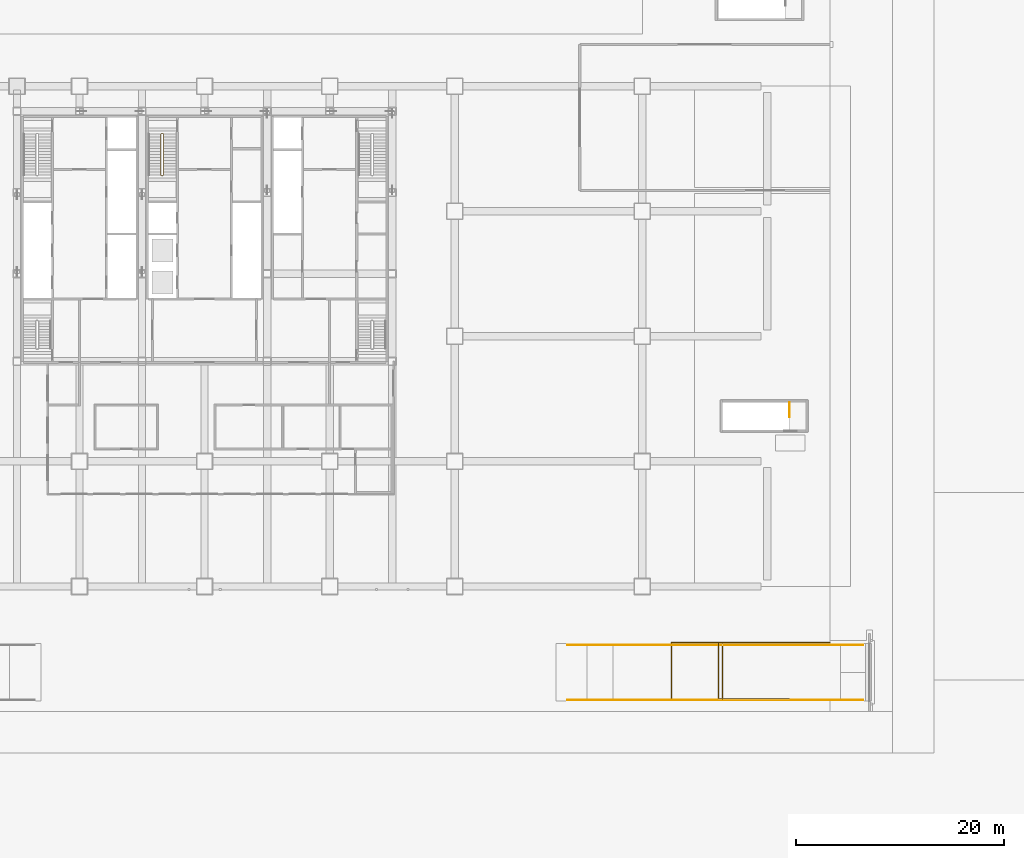
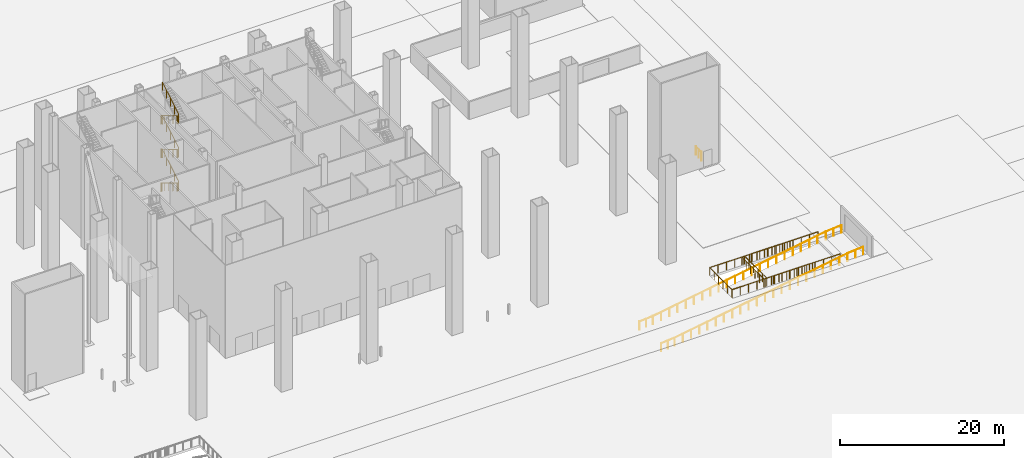
# One storey, part 18 of 22: 7 railings.
"""IFC4 building model written with IfcOpenShell, lengths in metres."""

from ifc_helpers import new_model, si_unit, direction, frame, origin, origin_2d, place, context, subcontext, project, spatial, circle, extrude, material, type_object, element, save


model = new_model("IFC4")

# Units and contexts
model_context = context("Model", 3, precision=1e-05, world=origin(), true_north=direction((0.0, 1.0)))
body_context = subcontext(model_context, "Body", "Model", "MODEL_VIEW")
ifc_project = project(units=[si_unit("LENGTHUNIT", "METRE"), si_unit("AREAUNIT", "SQUARE_METRE"), si_unit("VOLUMEUNIT", "CUBIC_METRE"), si_unit("PLANEANGLEUNIT", "RADIAN"), si_unit("MASSUNIT", "GRAM", prefix="KILO")], contexts=[model_context])

# Site, building, storey
site_placement = place(None, origin())
site = spatial("IfcSite", under=ifc_project, at=site_placement, CompositionType="ELEMENT")
building_placement = place(site_placement, origin())
building = spatial("IfcBuilding", under=site, at=building_placement, Name="Sorahane Residences", CompositionType="ELEMENT")
storey_placement = place(building_placement, origin())
storey = spatial("IfcBuildingStorey", under=building, at=storey_placement, Name="L00", CompositionType="ELEMENT", Elevation=0.0)

# Railings
ifc_material_1 = material(Name="Steel Q355B", Category="steel")
railing_type_1 = type_object("IfcRailingType", Name="Ramp opening guard 1200 Steel Q355B", PredefinedType="GUARDRAIL", material=ifc_material_1)
railing_1_placement = place(storey_placement, frame((87.199951171875, -10.89990234375, -0.0166015625)))
element("IfcRailing", 1, at=railing_1_placement, inside=storey, type_object=railing_type_1, Name="L00 ramp flight guard south", PredefinedType="GUARDRAIL", context=body_context, shape_type="SweptSolid", body=[
    extrude(circle(Radius=0.02392578125, at=origin_2d()), frame((0.0, 0.0, 1.17578125), z_axis=(-0.996544995499, 0.0, -0.083054632296), x_axis=(0.0, -1.0, 0.0)), (0.0, 0.0, 1.0), 2.20751953125),
    extrude(circle(Radius=0.02392578125, at=origin_2d()), frame((-2.199951171875, 0.0, 0.99267578125), z_axis=(-0.986393655987, 0.0, -0.164400594367), x_axis=(0.0, -1.0, 0.0)), (0.0, 0.0, 1.0), 24.63525390625),
    extrude(circle(Radius=0.02392578125, at=origin_2d()), frame((-26.5, 0.0, -3.0576171875), z_axis=(-0.996551055188, 0.0, -0.082981892028), x_axis=(0.0, -1.0, 0.0)), (0.0, 0.0, 1.0), 1.906494140625),
    extrude(circle(Radius=0.02099609375, at=origin_2d()), origin(), (0.0, 0.0, 1.0), 1.15185546875),
    extrude(circle(Radius=0.02099609375, at=origin_2d()), frame((-1.10009765625, 0.0, -0.091796875)), (0.0, 0.0, 1.0), 1.15185546875),
    extrude(circle(Radius=0.02099609375, at=origin_2d()), frame((-2.199951171875, 0.0, -0.183349609375)), (0.0, 0.0, 1.0), 1.15185546875),
    extrude(circle(Radius=0.02099609375, at=origin_2d()), frame((-3.357177734375, 0.0, -0.376220703125)), (0.0, 0.0, 1.0), 1.15185546875),
    extrude(circle(Radius=0.02099609375, at=origin_2d()), frame((-4.51416015625, 0.0, -0.569091796875)), (0.0, 0.0, 1.0), 1.15185546875),
    extrude(circle(Radius=0.02099609375, at=origin_2d()), frame((-5.67138671875, 0.0, -0.761962890625)), (0.0, 0.0, 1.0), 1.15185546875),
    extrude(circle(Radius=0.02099609375, at=origin_2d()), frame((-6.82861328125, 0.0, -0.954833984375)), (0.0, 0.0, 1.0), 1.15185546875),
    extrude(circle(Radius=0.02099609375, at=origin_2d()), frame((-7.985595703125, 0.0, -1.147705078125)), (0.0, 0.0, 1.0), 1.15185546875),
    extrude(circle(Radius=0.02099609375, at=origin_2d()), frame((-9.142822265625, 0.0, -1.340576171875)), (0.0, 0.0, 1.0), 1.15185546875),
    extrude(circle(Radius=0.02099609375, at=origin_2d()), frame((-10.300048828125, 0.0, -1.533447265625)), (0.0, 0.0, 1.0), 1.15185546875),
    extrude(circle(Radius=0.02099609375, at=origin_2d()), frame((-11.45703125, 0.0, -1.726318359375)), (0.0, 0.0, 1.0), 1.15185546875),
    extrude(circle(Radius=0.02099609375, at=origin_2d()), frame((-12.6142578125, 0.0, -1.919189453125)), (0.0, 0.0, 1.0), 1.15185546875),
    extrude(circle(Radius=0.02099609375, at=origin_2d()), frame((-13.771484375, 0.0, -2.112060546875)), (0.0, 0.0, 1.0), 1.15185546875),
    extrude(circle(Radius=0.02099609375, at=origin_2d()), frame((-14.928466796875, 0.0, -2.3046875)), (0.0, 0.0, 1.0), 1.15185546875),
    extrude(circle(Radius=0.02099609375, at=origin_2d()), frame((-16.085693359375, 0.0, -2.49755859375)), (0.0, 0.0, 1.0), 1.15185546875),
    extrude(circle(Radius=0.02099609375, at=origin_2d()), frame((-17.242919921875, 0.0, -2.6904296875)), (0.0, 0.0, 1.0), 1.15185546875),
    extrude(circle(Radius=0.02099609375, at=origin_2d()), frame((-18.39990234375, 0.0, -2.88330078125)), (0.0, 0.0, 1.0), 1.15185546875),
    extrude(circle(Radius=0.02099609375, at=origin_2d()), frame((-19.55712890625, 0.0, -3.076171875)), (0.0, 0.0, 1.0), 1.15185546875),
    extrude(circle(Radius=0.02099609375, at=origin_2d()), frame((-20.71435546875, 0.0, -3.26904296875)), (0.0, 0.0, 1.0), 1.15185546875),
    extrude(circle(Radius=0.02099609375, at=origin_2d()), frame((-21.871337890625, 0.0, -3.4619140625)), (0.0, 0.0, 1.0), 1.15185546875),
    extrude(circle(Radius=0.02099609375, at=origin_2d()), frame((-23.028564453125, 0.0, -3.65478515625)), (0.0, 0.0, 1.0), 1.15185546875),
    extrude(circle(Radius=0.02099609375, at=origin_2d()), frame((-24.185791015625, 0.0, -3.84765625)), (0.0, 0.0, 1.0), 1.15185546875),
    extrude(circle(Radius=0.02099609375, at=origin_2d()), frame((-25.3427734375, 0.0, -4.04052734375)), (0.0, 0.0, 1.0), 1.15185546875),
    extrude(circle(Radius=0.02099609375, at=origin_2d()), frame((-26.5, 0.0, -4.2333984375)), (0.0, 0.0, 1.0), 1.15185546875),
    extrude(circle(Radius=0.02099609375, at=origin_2d()), frame((-27.449951171875, 0.0, -4.3125)), (0.0, 0.0, 1.0), 1.15185546875),
    extrude(circle(Radius=0.02099609375, at=origin_2d()), frame((-28.39990234375, 0.0, -4.3916015625)), (0.0, 0.0, 1.0), 1.15185546875),
])
railing_2_placement = place(storey_placement, frame((87.199951171875, -5.60009765625, -0.0166015625)))
element("IfcRailing", 2, at=railing_2_placement, inside=storey, type_object=railing_type_1, Name="L00 ramp flight guard north", PredefinedType="GUARDRAIL", context=body_context, shape_type="SweptSolid", body=[
    extrude(circle(Radius=0.02392578125, at=origin_2d()), frame((0.0, 0.0, 1.17578125), z_axis=(-0.996544995499, 0.0, -0.083054632296), x_axis=(0.0, -1.0, 0.0)), (0.0, 0.0, 1.0), 2.20751953125),
    extrude(circle(Radius=0.02392578125, at=origin_2d()), frame((-2.199951171875, 0.0, 0.99267578125), z_axis=(-0.986393655987, 0.0, -0.164400594367), x_axis=(0.0, -1.0, 0.0)), (0.0, 0.0, 1.0), 24.63525390625),
    extrude(circle(Radius=0.02392578125, at=origin_2d()), frame((-26.5, 0.0, -3.0576171875), z_axis=(-0.996551055188, 0.0, -0.082981892028), x_axis=(0.0, -1.0, 0.0)), (0.0, 0.0, 1.0), 1.906494140625),
    extrude(circle(Radius=0.02099609375, at=origin_2d()), origin(), (0.0, 0.0, 1.0), 1.15185546875),
    extrude(circle(Radius=0.02099609375, at=origin_2d()), frame((-1.10009765625, 0.0, -0.091796875)), (0.0, 0.0, 1.0), 1.15185546875),
    extrude(circle(Radius=0.02099609375, at=origin_2d()), frame((-2.199951171875, 0.0, -0.183349609375)), (0.0, 0.0, 1.0), 1.15185546875),
    extrude(circle(Radius=0.02099609375, at=origin_2d()), frame((-3.357177734375, 0.0, -0.376220703125)), (0.0, 0.0, 1.0), 1.15185546875),
    extrude(circle(Radius=0.02099609375, at=origin_2d()), frame((-4.51416015625, 0.0, -0.569091796875)), (0.0, 0.0, 1.0), 1.15185546875),
    extrude(circle(Radius=0.02099609375, at=origin_2d()), frame((-5.67138671875, 0.0, -0.761962890625)), (0.0, 0.0, 1.0), 1.15185546875),
    extrude(circle(Radius=0.02099609375, at=origin_2d()), frame((-6.82861328125, 0.0, -0.954833984375)), (0.0, 0.0, 1.0), 1.15185546875),
    extrude(circle(Radius=0.02099609375, at=origin_2d()), frame((-7.985595703125, 0.0, -1.147705078125)), (0.0, 0.0, 1.0), 1.15185546875),
    extrude(circle(Radius=0.02099609375, at=origin_2d()), frame((-9.142822265625, 0.0, -1.340576171875)), (0.0, 0.0, 1.0), 1.15185546875),
    extrude(circle(Radius=0.02099609375, at=origin_2d()), frame((-10.300048828125, 0.0, -1.533447265625)), (0.0, 0.0, 1.0), 1.15185546875),
    extrude(circle(Radius=0.02099609375, at=origin_2d()), frame((-11.45703125, 0.0, -1.726318359375)), (0.0, 0.0, 1.0), 1.15185546875),
    extrude(circle(Radius=0.02099609375, at=origin_2d()), frame((-12.6142578125, 0.0, -1.919189453125)), (0.0, 0.0, 1.0), 1.15185546875),
    extrude(circle(Radius=0.02099609375, at=origin_2d()), frame((-13.771484375, 0.0, -2.112060546875)), (0.0, 0.0, 1.0), 1.15185546875),
    extrude(circle(Radius=0.02099609375, at=origin_2d()), frame((-14.928466796875, 0.0, -2.3046875)), (0.0, 0.0, 1.0), 1.15185546875),
    extrude(circle(Radius=0.02099609375, at=origin_2d()), frame((-16.085693359375, 0.0, -2.49755859375)), (0.0, 0.0, 1.0), 1.15185546875),
    extrude(circle(Radius=0.02099609375, at=origin_2d()), frame((-17.242919921875, 0.0, -2.6904296875)), (0.0, 0.0, 1.0), 1.15185546875),
    extrude(circle(Radius=0.02099609375, at=origin_2d()), frame((-18.39990234375, 0.0, -2.88330078125)), (0.0, 0.0, 1.0), 1.15185546875),
    extrude(circle(Radius=0.02099609375, at=origin_2d()), frame((-19.55712890625, 0.0, -3.076171875)), (0.0, 0.0, 1.0), 1.15185546875),
    extrude(circle(Radius=0.02099609375, at=origin_2d()), frame((-20.71435546875, 0.0, -3.26904296875)), (0.0, 0.0, 1.0), 1.15185546875),
    extrude(circle(Radius=0.02099609375, at=origin_2d()), frame((-21.871337890625, 0.0, -3.4619140625)), (0.0, 0.0, 1.0), 1.15185546875),
    extrude(circle(Radius=0.02099609375, at=origin_2d()), frame((-23.028564453125, 0.0, -3.65478515625)), (0.0, 0.0, 1.0), 1.15185546875),
    extrude(circle(Radius=0.02099609375, at=origin_2d()), frame((-24.185791015625, 0.0, -3.84765625)), (0.0, 0.0, 1.0), 1.15185546875),
    extrude(circle(Radius=0.02099609375, at=origin_2d()), frame((-25.3427734375, 0.0, -4.04052734375)), (0.0, 0.0, 1.0), 1.15185546875),
    extrude(circle(Radius=0.02099609375, at=origin_2d()), frame((-26.5, 0.0, -4.2333984375)), (0.0, 0.0, 1.0), 1.15185546875),
    extrude(circle(Radius=0.02099609375, at=origin_2d()), frame((-27.449951171875, 0.0, -4.3125)), (0.0, 0.0, 1.0), 1.15185546875),
    extrude(circle(Radius=0.02099609375, at=origin_2d()), frame((-28.39990234375, 0.0, -4.3916015625)), (0.0, 0.0, 1.0), 1.15185546875),
])
railing_3_placement = place(storey_placement, frame((79.699951171875, -5.39990234375, 0.0)))
element("IfcRailing", 3, at=railing_3_placement, inside=storey, type_object=railing_type_1, Name="L00 ramp opening guard", PredefinedType="GUARDRAIL", context=body_context, shape_type="SweptSolid", body=[
    extrude(circle(Radius=0.02392578125, at=origin_2d()), frame((0.0, 0.0, 1.17578125), z_axis=(-1.0, 0.0, 0.0), x_axis=(0.0, -1.0, 0.0)), (0.0, 0.0, 1.0), 6.39990234375),
    extrude(circle(Radius=0.02392578125, at=origin_2d()), frame((-6.39990234375, 0.0, 1.17578125), z_axis=(0.0, -1.0, 0.0), x_axis=(1.0, 0.0, 0.0)), (0.0, 0.0, 1.0), 5.400146484375),
    extrude(circle(Radius=0.02392578125, at=origin_2d()), frame((-6.39990234375, -5.400146484375, 1.17578125), z_axis=(1.0, 0.0, 0.0), x_axis=(0.0, 1.0, 0.0)), (0.0, 0.0, 1.0), 6.39990234375),
    extrude(circle(Radius=0.02099609375, at=origin_2d()), origin(), (0.0, 0.0, 1.0), 1.15185546875),
    extrude(circle(Radius=0.02099609375, at=origin_2d()), frame((-1.066650390625, 0.0, 0.0)), (0.0, 0.0, 1.0), 1.15185546875),
    extrude(circle(Radius=0.02099609375, at=origin_2d()), frame((-2.13330078125, 0.0, 0.0)), (0.0, 0.0, 1.0), 1.15185546875),
    extrude(circle(Radius=0.02099609375, at=origin_2d()), frame((-3.199951171875, 0.0, 0.0)), (0.0, 0.0, 1.0), 1.15185546875),
    extrude(circle(Radius=0.02099609375, at=origin_2d()), frame((-4.2666015625, 0.0, 0.0)), (0.0, 0.0, 1.0), 1.15185546875),
    extrude(circle(Radius=0.02099609375, at=origin_2d()), frame((-5.333251953125, 0.0, 0.0)), (0.0, 0.0, 1.0), 1.15185546875),
    extrude(circle(Radius=0.02099609375, at=origin_2d()), frame((-6.39990234375, 0.0, 0.0)), (0.0, 0.0, 1.0), 1.15185546875),
    extrude(circle(Radius=0.02099609375, at=origin_2d()), frame((-6.39990234375, -1.080078125, 0.0)), (0.0, 0.0, 1.0), 1.15185546875),
    extrude(circle(Radius=0.02099609375, at=origin_2d()), frame((-6.39990234375, -2.16015625, 0.0)), (0.0, 0.0, 1.0), 1.15185546875),
    extrude(circle(Radius=0.02099609375, at=origin_2d()), frame((-6.39990234375, -3.239990234375, 0.0)), (0.0, 0.0, 1.0), 1.15185546875),
    extrude(circle(Radius=0.02099609375, at=origin_2d()), frame((-6.39990234375, -4.320068359375, 0.0)), (0.0, 0.0, 1.0), 1.15185546875),
    extrude(circle(Radius=0.02099609375, at=origin_2d()), frame((-6.39990234375, -5.400146484375, 0.0)), (0.0, 0.0, 1.0), 1.15185546875),
    extrude(circle(Radius=0.02099609375, at=origin_2d()), frame((-5.333251953125, -5.400146484375, 0.0)), (0.0, 0.0, 1.0), 1.15185546875),
    extrude(circle(Radius=0.02099609375, at=origin_2d()), frame((-4.2666015625, -5.400146484375, 0.0)), (0.0, 0.0, 1.0), 1.15185546875),
    extrude(circle(Radius=0.02099609375, at=origin_2d()), frame((-3.199951171875, -5.400146484375, 0.0)), (0.0, 0.0, 1.0), 1.15185546875),
    extrude(circle(Radius=0.02099609375, at=origin_2d()), frame((-2.13330078125, -5.400146484375, 0.0)), (0.0, 0.0, 1.0), 1.15185546875),
    extrude(circle(Radius=0.02099609375, at=origin_2d()), frame((-1.066650390625, -5.400146484375, 0.0)), (0.0, 0.0, 1.0), 1.15185546875),
    extrude(circle(Radius=0.02099609375, at=origin_2d()), frame((0.0, -5.400146484375, 0.0)), (0.0, 0.0, 1.0), 1.15185546875),
])
railing_4_placement = place(storey_placement, frame((80.10009765625, -5.39990234375, 0.0)))
element("IfcRailing", 4, at=railing_4_placement, inside=storey, type_object=railing_type_1, Name="L00 ramp opening guard", PredefinedType="GUARDRAIL", context=body_context, shape_type="SweptSolid", body=[
    extrude(circle(Radius=0.02392578125, at=origin_2d()), frame((0.0, 0.0, 1.17578125), z_axis=(-1.0, 0.0, 0.0), x_axis=(0.0, -1.0, 0.0)), (0.0, 0.0, 1.0), 6.400146484375),
    extrude(circle(Radius=0.02392578125, at=origin_2d()), frame((-6.400146484375, 0.0, 1.17578125), z_axis=(0.0, -1.0, 0.0), x_axis=(1.0, 0.0, 0.0)), (0.0, 0.0, 1.0), 5.400146484375),
    extrude(circle(Radius=0.02392578125, at=origin_2d()), frame((-6.400146484375, -5.400146484375, 1.17578125), z_axis=(1.0, 0.0, 0.0), x_axis=(0.0, 1.0, 0.0)), (0.0, 0.0, 1.0), 6.400146484375),
    extrude(circle(Radius=0.02099609375, at=origin_2d()), origin(), (0.0, 0.0, 1.0), 1.15185546875),
    extrude(circle(Radius=0.02099609375, at=origin_2d()), frame((-1.066650390625, 0.0, 0.0)), (0.0, 0.0, 1.0), 1.15185546875),
    extrude(circle(Radius=0.02099609375, at=origin_2d()), frame((-2.13330078125, 0.0, 0.0)), (0.0, 0.0, 1.0), 1.15185546875),
    extrude(circle(Radius=0.02099609375, at=origin_2d()), frame((-3.2001953125, 0.0, 0.0)), (0.0, 0.0, 1.0), 1.15185546875),
    extrude(circle(Radius=0.02099609375, at=origin_2d()), frame((-4.266845703125, 0.0, 0.0)), (0.0, 0.0, 1.0), 1.15185546875),
    extrude(circle(Radius=0.02099609375, at=origin_2d()), frame((-5.33349609375, 0.0, 0.0)), (0.0, 0.0, 1.0), 1.15185546875),
    extrude(circle(Radius=0.02099609375, at=origin_2d()), frame((-6.400146484375, 0.0, 0.0)), (0.0, 0.0, 1.0), 1.15185546875),
    extrude(circle(Radius=0.02099609375, at=origin_2d()), frame((-6.400146484375, -1.080078125, 0.0)), (0.0, 0.0, 1.0), 1.15185546875),
    extrude(circle(Radius=0.02099609375, at=origin_2d()), frame((-6.400146484375, -2.16015625, 0.0)), (0.0, 0.0, 1.0), 1.15185546875),
    extrude(circle(Radius=0.02099609375, at=origin_2d()), frame((-6.400146484375, -3.239990234375, 0.0)), (0.0, 0.0, 1.0), 1.15185546875),
    extrude(circle(Radius=0.02099609375, at=origin_2d()), frame((-6.400146484375, -4.320068359375, 0.0)), (0.0, 0.0, 1.0), 1.15185546875),
    extrude(circle(Radius=0.02099609375, at=origin_2d()), frame((-6.400146484375, -5.400146484375, 0.0)), (0.0, 0.0, 1.0), 1.15185546875),
    extrude(circle(Radius=0.02099609375, at=origin_2d()), frame((-5.33349609375, -5.400146484375, 0.0)), (0.0, 0.0, 1.0), 1.15185546875),
    extrude(circle(Radius=0.02099609375, at=origin_2d()), frame((-4.266845703125, -5.400146484375, 0.0)), (0.0, 0.0, 1.0), 1.15185546875),
    extrude(circle(Radius=0.02099609375, at=origin_2d()), frame((-3.2001953125, -5.400146484375, 0.0)), (0.0, 0.0, 1.0), 1.15185546875),
    extrude(circle(Radius=0.02099609375, at=origin_2d()), frame((-2.13330078125, -5.400146484375, 0.0)), (0.0, 0.0, 1.0), 1.15185546875),
    extrude(circle(Radius=0.02099609375, at=origin_2d()), frame((-1.066650390625, -5.400146484375, 0.0)), (0.0, 0.0, 1.0), 1.15185546875),
    extrude(circle(Radius=0.02099609375, at=origin_2d()), frame((0.0, -5.400146484375, 0.0)), (0.0, 0.0, 1.0), 1.15185546875),
])
railing_5_placement = place(storey_placement, frame((84.0, -5.39990234375, 0.0)))
element("IfcRailing", 5, at=railing_5_placement, inside=storey, type_object=railing_type_1, Name="L00 ramp opening guard", PredefinedType="GUARDRAIL", context=body_context, shape_type="SweptSolid", body=[
    extrude(circle(Radius=0.02392578125, at=origin_2d()), frame((0.0, 0.0, 1.17578125), z_axis=(-1.0, 0.0, 0.0), x_axis=(0.0, -1.0, 0.0)), (0.0, 0.0, 1.0), 15.199951171875),
    extrude(circle(Radius=0.02392578125, at=origin_2d()), frame((-15.199951171875, 0.0, 1.17578125), z_axis=(0.0, -1.0, 0.0), x_axis=(1.0, 0.0, 0.0)), (0.0, 0.0, 1.0), 5.400146484375),
    extrude(circle(Radius=0.02392578125, at=origin_2d()), frame((-15.199951171875, -5.400146484375, 1.17578125), z_axis=(1.0, 0.0, 0.0), x_axis=(0.0, 1.0, 0.0)), (0.0, 0.0, 1.0), 15.199951171875),
    extrude(circle(Radius=0.02099609375, at=origin_2d()), origin(), (0.0, 0.0, 1.0), 1.15185546875),
    extrude(circle(Radius=0.02099609375, at=origin_2d()), frame((-1.169189453125, 0.0, 0.0)), (0.0, 0.0, 1.0), 1.15185546875),
    extrude(circle(Radius=0.02099609375, at=origin_2d()), frame((-2.33837890625, 0.0, 0.0)), (0.0, 0.0, 1.0), 1.15185546875),
    extrude(circle(Radius=0.02099609375, at=origin_2d()), frame((-3.507568359375, 0.0, 0.0)), (0.0, 0.0, 1.0), 1.15185546875),
    extrude(circle(Radius=0.02099609375, at=origin_2d()), frame((-4.677001953125, 0.0, 0.0)), (0.0, 0.0, 1.0), 1.15185546875),
    extrude(circle(Radius=0.02099609375, at=origin_2d()), frame((-5.84619140625, 0.0, 0.0)), (0.0, 0.0, 1.0), 1.15185546875),
    extrude(circle(Radius=0.02099609375, at=origin_2d()), frame((-7.015380859375, 0.0, 0.0)), (0.0, 0.0, 1.0), 1.15185546875),
    extrude(circle(Radius=0.02099609375, at=origin_2d()), frame((-8.1845703125, 0.0, 0.0)), (0.0, 0.0, 1.0), 1.15185546875),
    extrude(circle(Radius=0.02099609375, at=origin_2d()), frame((-9.353759765625, 0.0, 0.0)), (0.0, 0.0, 1.0), 1.15185546875),
    extrude(circle(Radius=0.02099609375, at=origin_2d()), frame((-10.52294921875, 0.0, 0.0)), (0.0, 0.0, 1.0), 1.15185546875),
    extrude(circle(Radius=0.02099609375, at=origin_2d()), frame((-11.6923828125, 0.0, 0.0)), (0.0, 0.0, 1.0), 1.15185546875),
    extrude(circle(Radius=0.02099609375, at=origin_2d()), frame((-12.861572265625, 0.0, 0.0)), (0.0, 0.0, 1.0), 1.15185546875),
    extrude(circle(Radius=0.02099609375, at=origin_2d()), frame((-14.03076171875, 0.0, 0.0)), (0.0, 0.0, 1.0), 1.15185546875),
    extrude(circle(Radius=0.02099609375, at=origin_2d()), frame((-15.199951171875, 0.0, 0.0)), (0.0, 0.0, 1.0), 1.15185546875),
    extrude(circle(Radius=0.02099609375, at=origin_2d()), frame((-15.199951171875, -1.080078125, 0.0)), (0.0, 0.0, 1.0), 1.15185546875),
    extrude(circle(Radius=0.02099609375, at=origin_2d()), frame((-15.199951171875, -2.16015625, 0.0)), (0.0, 0.0, 1.0), 1.15185546875),
    extrude(circle(Radius=0.02099609375, at=origin_2d()), frame((-15.199951171875, -3.239990234375, 0.0)), (0.0, 0.0, 1.0), 1.15185546875),
    extrude(circle(Radius=0.02099609375, at=origin_2d()), frame((-15.199951171875, -4.320068359375, 0.0)), (0.0, 0.0, 1.0), 1.15185546875),
    extrude(circle(Radius=0.02099609375, at=origin_2d()), frame((-15.199951171875, -5.400146484375, 0.0)), (0.0, 0.0, 1.0), 1.15185546875),
    extrude(circle(Radius=0.02099609375, at=origin_2d()), frame((-14.03076171875, -5.400146484375, 0.0)), (0.0, 0.0, 1.0), 1.15185546875),
    extrude(circle(Radius=0.02099609375, at=origin_2d()), frame((-12.861572265625, -5.400146484375, 0.0)), (0.0, 0.0, 1.0), 1.15185546875),
    extrude(circle(Radius=0.02099609375, at=origin_2d()), frame((-11.6923828125, -5.400146484375, 0.0)), (0.0, 0.0, 1.0), 1.15185546875),
    extrude(circle(Radius=0.02099609375, at=origin_2d()), frame((-10.52294921875, -5.400146484375, 0.0)), (0.0, 0.0, 1.0), 1.15185546875),
    extrude(circle(Radius=0.02099609375, at=origin_2d()), frame((-9.353759765625, -5.400146484375, 0.0)), (0.0, 0.0, 1.0), 1.15185546875),
    extrude(circle(Radius=0.02099609375, at=origin_2d()), frame((-8.1845703125, -5.400146484375, 0.0)), (0.0, 0.0, 1.0), 1.15185546875),
    extrude(circle(Radius=0.02099609375, at=origin_2d()), frame((-7.015380859375, -5.400146484375, 0.0)), (0.0, 0.0, 1.0), 1.15185546875),
    extrude(circle(Radius=0.02099609375, at=origin_2d()), frame((-5.84619140625, -5.400146484375, 0.0)), (0.0, 0.0, 1.0), 1.15185546875),
    extrude(circle(Radius=0.02099609375, at=origin_2d()), frame((-4.677001953125, -5.400146484375, 0.0)), (0.0, 0.0, 1.0), 1.15185546875),
    extrude(circle(Radius=0.02099609375, at=origin_2d()), frame((-3.507568359375, -5.400146484375, 0.0)), (0.0, 0.0, 1.0), 1.15185546875),
    extrude(circle(Radius=0.02099609375, at=origin_2d()), frame((-2.33837890625, -5.400146484375, 0.0)), (0.0, 0.0, 1.0), 1.15185546875),
    extrude(circle(Radius=0.02099609375, at=origin_2d()), frame((-1.169189453125, -5.400146484375, 0.0)), (0.0, 0.0, 1.0), 1.15185546875),
    extrude(circle(Radius=0.02099609375, at=origin_2d()), frame((0.0, -5.400146484375, 0.0)), (0.0, 0.0, 1.0), 1.15185546875),
])
ifc_material_2 = material(Name="Steel Q355B", Category="steel")
railing_type_2 = type_object("IfcRailingType", Name="Stair guard 1200 Steel Q355B", PredefinedType="GUARDRAIL", material=ifc_material_2)
railing_6_placement = place(storey_placement, frame((20.0, 43.449951171875, 0.0)))
element("IfcRailing", 6, at=railing_6_placement, inside=storey, type_object=railing_type_2, Name="L00 S3 stair guard 1", PredefinedType="GUARDRAIL", context=body_context, shape_type="SweptSolid", body=[
    extrude(circle(Radius=0.02392578125, at=origin_2d()), frame((0.0, 0.0, 1.17578125), z_axis=(-1.0, 0.0, 0.0), x_axis=(0.0, -1.0, 0.0)), (0.0, 0.0, 1.0), 0.14990234375),
    extrude(circle(Radius=0.02392578125, at=origin_2d()), frame((-0.14990234375, 0.0, 1.17578125), z_axis=(-0.27628659633, -0.27628659633, 0.920506074601), x_axis=(0.707106781187, -0.707106781187, 0.0)), (0.0, 0.0, 1.0), 0.18115234375),
    extrude(circle(Radius=0.02392578125, at=origin_2d()), frame((-0.199951171875, -0.050048828125, 1.3427734375), z_axis=(0.0, -0.859296244711, 0.511478214419), x_axis=(1.0, 0.0, 0.0)), (0.0, 0.0, 1.0), 4.561767578125),
    extrude(circle(Radius=0.02392578125, at=origin_2d()), frame((-0.199951171875, -3.969970703125, 3.67578125), z_axis=(0.707106781187, -0.707106781187, 0.0), x_axis=(0.707106781187, 0.707106781187, 0.0)), (0.0, 0.0, 1.0), 0.07080078125),
    extrude(circle(Radius=0.02392578125, at=origin_2d()), frame((-0.14990234375, -4.02001953125, 3.67578125), z_axis=(1.0, 0.0, 0.0), x_axis=(0.0, 1.0, 0.0)), (0.0, 0.0, 1.0), 0.14990234375),
    extrude(circle(Radius=0.02392578125, at=origin_2d()), frame((0.0, -4.02001953125, 3.67578125), z_axis=(0.27628659633, 0.27628659633, 0.920506074601), x_axis=(-0.707106781187, 0.707106781187, 0.0)), (0.0, 0.0, 1.0), 0.18115234375),
    extrude(circle(Radius=0.02392578125, at=origin_2d()), frame((0.050048828125, -3.969970703125, 3.8427734375), z_axis=(0.0, 0.859296244711, 0.511478214419), x_axis=(-1.0, 0.0, 0.0)), (0.0, 0.0, 1.0), 4.561767578125),
    extrude(circle(Radius=0.02392578125, at=origin_2d()), frame((0.050048828125, -0.050048828125, 6.17578125), z_axis=(-0.707106781187, 0.707106781187, 0.0), x_axis=(-0.707106781187, -0.707106781187, 0.0)), (0.0, 0.0, 1.0), 0.07080078125),
    extrude(circle(Radius=0.02392578125, at=origin_2d()), frame((0.0, 0.0, 6.17578125), z_axis=(-1.0, 0.0, 0.0), x_axis=(0.0, -1.0, 0.0)), (0.0, 0.0, 1.0), 0.14990234375),
    extrude(circle(Radius=0.02392578125, at=origin_2d()), frame((-0.14990234375, 0.0, 6.17578125), z_axis=(-0.27628659633, -0.27628659633, 0.920506074601), x_axis=(0.707106781187, -0.707106781187, 0.0)), (0.0, 0.0, 1.0), 0.18115234375),
    extrude(circle(Radius=0.02392578125, at=origin_2d()), frame((-0.199951171875, -0.050048828125, 6.3427734375), z_axis=(0.0, -0.859296244711, 0.511478214419), x_axis=(1.0, 0.0, 0.0)), (0.0, 0.0, 1.0), 4.561767578125),
    extrude(circle(Radius=0.02392578125, at=origin_2d()), frame((-0.199951171875, -3.969970703125, 8.67578125), z_axis=(0.707106781187, -0.707106781187, 0.0), x_axis=(0.707106781187, 0.707106781187, 0.0)), (0.0, 0.0, 1.0), 0.07080078125),
    extrude(circle(Radius=0.02392578125, at=origin_2d()), frame((-0.14990234375, -4.02001953125, 8.67578125), z_axis=(1.0, 0.0, 0.0), x_axis=(0.0, 1.0, 0.0)), (0.0, 0.0, 1.0), 0.14990234375),
    extrude(circle(Radius=0.02392578125, at=origin_2d()), frame((0.0, -4.02001953125, 8.67578125), z_axis=(0.27628659633, 0.27628659633, 0.920506074601), x_axis=(-0.707106781187, 0.707106781187, 0.0)), (0.0, 0.0, 1.0), 0.18115234375),
    extrude(circle(Radius=0.02392578125, at=origin_2d()), frame((0.050048828125, -3.969970703125, 8.8427734375), z_axis=(0.0, 0.859296244711, 0.511478214419), x_axis=(-1.0, 0.0, 0.0)), (0.0, 0.0, 1.0), 4.561767578125),
    extrude(circle(Radius=0.02392578125, at=origin_2d()), frame((0.050048828125, -0.050048828125, 11.17578125), z_axis=(-0.707106781187, 0.707106781187, 0.0), x_axis=(-0.707106781187, -0.707106781187, 0.0)), (0.0, 0.0, 1.0), 0.07080078125),
    extrude(circle(Radius=0.02392578125, at=origin_2d()), frame((0.0, 0.0, 11.17578125), z_axis=(-1.0, 0.0, 0.0), x_axis=(0.0, -1.0, 0.0)), (0.0, 0.0, 1.0), 0.14990234375),
    extrude(circle(Radius=0.02392578125, at=origin_2d()), frame((-0.14990234375, 0.0, 11.17578125), z_axis=(-0.27628659633, -0.27628659633, 0.920506074601), x_axis=(0.707106781187, -0.707106781187, 0.0)), (0.0, 0.0, 1.0), 0.18115234375),
    extrude(circle(Radius=0.02392578125, at=origin_2d()), frame((-0.199951171875, -0.050048828125, 11.3427734375), z_axis=(0.0, -0.859296244711, 0.511478214419), x_axis=(1.0, 0.0, 0.0)), (0.0, 0.0, 1.0), 4.561767578125),
    extrude(circle(Radius=0.02392578125, at=origin_2d()), frame((-0.199951171875, -3.969970703125, 13.67578125), z_axis=(0.707106781187, -0.707106781187, 0.0), x_axis=(0.707106781187, 0.707106781187, 0.0)), (0.0, 0.0, 1.0), 0.07080078125),
    extrude(circle(Radius=0.02392578125, at=origin_2d()), frame((-0.14990234375, -4.02001953125, 13.67578125), z_axis=(1.0, 0.0, 0.0), x_axis=(0.0, 1.0, 0.0)), (0.0, 0.0, 1.0), 0.14990234375),
    extrude(circle(Radius=0.02392578125, at=origin_2d()), frame((0.0, -4.02001953125, 13.67578125), z_axis=(0.27628659633, 0.27628659633, 0.920506074601), x_axis=(-0.707106781187, 0.707106781187, 0.0)), (0.0, 0.0, 1.0), 0.18115234375),
    extrude(circle(Radius=0.02392578125, at=origin_2d()), frame((0.050048828125, -3.969970703125, 13.8427734375), z_axis=(0.0, 0.859296244711, 0.511478214419), x_axis=(-1.0, 0.0, 0.0)), (0.0, 0.0, 1.0), 4.561767578125),
    extrude(circle(Radius=0.02099609375, at=origin_2d()), origin(), (0.0, 0.0, 1.0), 1.15185546875),
    extrude(circle(Radius=0.02099609375, at=origin_2d()), frame((-0.14990234375, 0.0, 0.0)), (0.0, 0.0, 1.0), 1.15185546875),
    extrude(circle(Radius=0.02099609375, at=origin_2d()), frame((-0.199951171875, -0.050048828125, 0.166748046875)), (0.0, 0.0, 1.0), 1.15185546875),
    extrude(circle(Radius=0.02099609375, at=origin_2d()), frame((-0.199951171875, -1.030029296875, 0.75)), (0.0, 0.0, 1.0), 1.15185546875),
    extrude(circle(Radius=0.02099609375, at=origin_2d()), frame((-0.199951171875, -2.010009765625, 1.33349609375)), (0.0, 0.0, 1.0), 1.15185546875),
    extrude(circle(Radius=0.02099609375, at=origin_2d()), frame((-0.199951171875, -2.989990234375, 1.916748046875)), (0.0, 0.0, 1.0), 1.15185546875),
    extrude(circle(Radius=0.02099609375, at=origin_2d()), frame((-0.199951171875, -3.969970703125, 2.5)), (0.0, 0.0, 1.0), 1.15185546875),
    extrude(circle(Radius=0.02099609375, at=origin_2d()), frame((-0.14990234375, -4.02001953125, 2.5)), (0.0, 0.0, 1.0), 1.15185546875),
    extrude(circle(Radius=0.02099609375, at=origin_2d()), frame((0.0, -4.02001953125, 2.5)), (0.0, 0.0, 1.0), 1.15185546875),
    extrude(circle(Radius=0.02099609375, at=origin_2d()), frame((0.050048828125, -3.969970703125, 2.666748046875)), (0.0, 0.0, 1.0), 1.15185546875),
    extrude(circle(Radius=0.02099609375, at=origin_2d()), frame((0.050048828125, -2.989990234375, 3.25)), (0.0, 0.0, 1.0), 1.15185546875),
    extrude(circle(Radius=0.02099609375, at=origin_2d()), frame((0.050048828125, -2.010009765625, 3.83349609375)), (0.0, 0.0, 1.0), 1.15185546875),
    extrude(circle(Radius=0.02099609375, at=origin_2d()), frame((0.050048828125, -1.030029296875, 4.416748046875)), (0.0, 0.0, 1.0), 1.15185546875),
    extrude(circle(Radius=0.02099609375, at=origin_2d()), frame((0.050048828125, -0.050048828125, 5.0)), (0.0, 0.0, 1.0), 1.15185546875),
    extrude(circle(Radius=0.02099609375, at=origin_2d()), frame((0.0, 0.0, 5.0)), (0.0, 0.0, 1.0), 1.15185546875),
    extrude(circle(Radius=0.02099609375, at=origin_2d()), frame((-0.14990234375, 0.0, 5.0)), (0.0, 0.0, 1.0), 1.15185546875),
    extrude(circle(Radius=0.02099609375, at=origin_2d()), frame((-0.199951171875, -0.050048828125, 5.166748046875)), (0.0, 0.0, 1.0), 1.15185546875),
    extrude(circle(Radius=0.02099609375, at=origin_2d()), frame((-0.199951171875, -1.030029296875, 5.75)), (0.0, 0.0, 1.0), 1.15185546875),
    extrude(circle(Radius=0.02099609375, at=origin_2d()), frame((-0.199951171875, -2.010009765625, 6.33349609375)), (0.0, 0.0, 1.0), 1.15185546875),
    extrude(circle(Radius=0.02099609375, at=origin_2d()), frame((-0.199951171875, -2.989990234375, 6.916748046875)), (0.0, 0.0, 1.0), 1.15185546875),
    extrude(circle(Radius=0.02099609375, at=origin_2d()), frame((-0.199951171875, -3.969970703125, 7.5)), (0.0, 0.0, 1.0), 1.15185546875),
    extrude(circle(Radius=0.02099609375, at=origin_2d()), frame((-0.14990234375, -4.02001953125, 7.5)), (0.0, 0.0, 1.0), 1.15185546875),
    extrude(circle(Radius=0.02099609375, at=origin_2d()), frame((0.0, -4.02001953125, 7.5)), (0.0, 0.0, 1.0), 1.15185546875),
    extrude(circle(Radius=0.02099609375, at=origin_2d()), frame((0.050048828125, -3.969970703125, 7.666748046875)), (0.0, 0.0, 1.0), 1.15185546875),
    extrude(circle(Radius=0.02099609375, at=origin_2d()), frame((0.050048828125, -2.989990234375, 8.25)), (0.0, 0.0, 1.0), 1.15185546875),
    extrude(circle(Radius=0.02099609375, at=origin_2d()), frame((0.050048828125, -2.010009765625, 8.83349609375)), (0.0, 0.0, 1.0), 1.15185546875),
    extrude(circle(Radius=0.02099609375, at=origin_2d()), frame((0.050048828125, -1.030029296875, 9.416748046875)), (0.0, 0.0, 1.0), 1.15185546875),
    extrude(circle(Radius=0.02099609375, at=origin_2d()), frame((0.050048828125, -0.050048828125, 10.0)), (0.0, 0.0, 1.0), 1.15185546875),
    extrude(circle(Radius=0.02099609375, at=origin_2d()), frame((0.0, 0.0, 10.0)), (0.0, 0.0, 1.0), 1.15185546875),
    extrude(circle(Radius=0.02099609375, at=origin_2d()), frame((-0.14990234375, 0.0, 10.0)), (0.0, 0.0, 1.0), 1.15185546875),
    extrude(circle(Radius=0.02099609375, at=origin_2d()), frame((-0.199951171875, -0.050048828125, 10.166748046875)), (0.0, 0.0, 1.0), 1.15185546875),
    extrude(circle(Radius=0.02099609375, at=origin_2d()), frame((-0.199951171875, -1.030029296875, 10.75)), (0.0, 0.0, 1.0), 1.15185546875),
    extrude(circle(Radius=0.02099609375, at=origin_2d()), frame((-0.199951171875, -2.010009765625, 11.33349609375)), (0.0, 0.0, 1.0), 1.15185546875),
    extrude(circle(Radius=0.02099609375, at=origin_2d()), frame((-0.199951171875, -2.989990234375, 11.916748046875)), (0.0, 0.0, 1.0), 1.15185546875),
    extrude(circle(Radius=0.02099609375, at=origin_2d()), frame((-0.199951171875, -3.969970703125, 12.5)), (0.0, 0.0, 1.0), 1.15185546875),
    extrude(circle(Radius=0.02099609375, at=origin_2d()), frame((-0.14990234375, -4.02001953125, 12.5)), (0.0, 0.0, 1.0), 1.15185546875),
    extrude(circle(Radius=0.02099609375, at=origin_2d()), frame((0.0, -4.02001953125, 12.5)), (0.0, 0.0, 1.0), 1.15185546875),
    extrude(circle(Radius=0.02099609375, at=origin_2d()), frame((0.050048828125, -3.969970703125, 12.666748046875)), (0.0, 0.0, 1.0), 1.15185546875),
    extrude(circle(Radius=0.02099609375, at=origin_2d()), frame((0.050048828125, -2.989990234375, 13.25)), (0.0, 0.0, 1.0), 1.15185546875),
    extrude(circle(Radius=0.02099609375, at=origin_2d()), frame((0.050048828125, -2.010009765625, 13.83349609375)), (0.0, 0.0, 1.0), 1.15185546875),
    extrude(circle(Radius=0.02099609375, at=origin_2d()), frame((0.050048828125, -1.030029296875, 14.416748046875)), (0.0, 0.0, 1.0), 1.15185546875),
    extrude(circle(Radius=0.02099609375, at=origin_2d()), frame((0.050048828125, -0.050048828125, 15.0)), (0.0, 0.0, 1.0), 1.15185546875),
])
railing_7_placement = place(storey_placement, frame((80.14990234375, 17.64990234375, 0.0)))
element("IfcRailing", 7, at=railing_7_placement, inside=storey, type_object=railing_type_2, Name="L00 BS4 top well guard 1", PredefinedType="GUARDRAIL", context=body_context, shape_type="SweptSolid", body=[
    extrude(circle(Radius=0.02392578125, at=origin_2d()), frame((0.0, 0.0, 1.23583984375), z_axis=(0.0, -1.0, 0.0), x_axis=(1.0, 0.0, 0.0)), (0.0, 0.0, 1.0), 1.39990234375),
    extrude(circle(Radius=0.02099609375, at=origin_2d()), origin(), (0.0, 0.0, 1.0), 1.2119140625),
    extrude(circle(Radius=0.02099609375, at=origin_2d()), frame((0.0, -0.699951171875, 0.0)), (0.0, 0.0, 1.0), 1.2119140625),
    extrude(circle(Radius=0.02099609375, at=origin_2d()), frame((0.0, -1.39990234375, 0.0)), (0.0, 0.0, 1.0), 1.2119140625),
])

save(model, "model.ifc")
